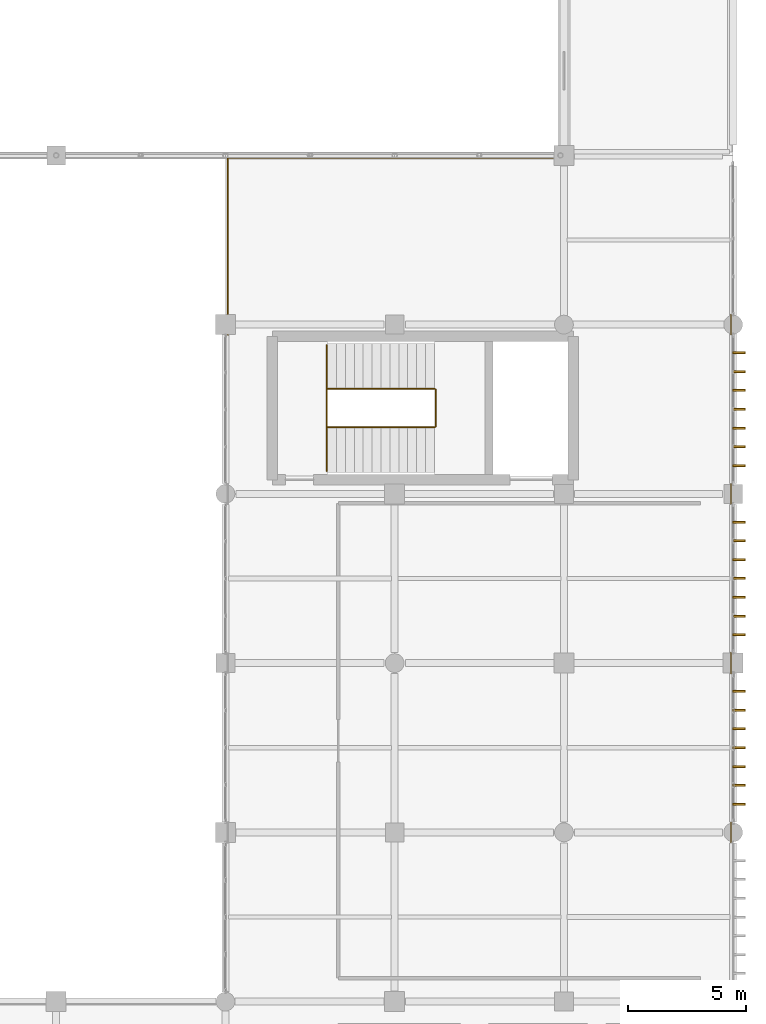
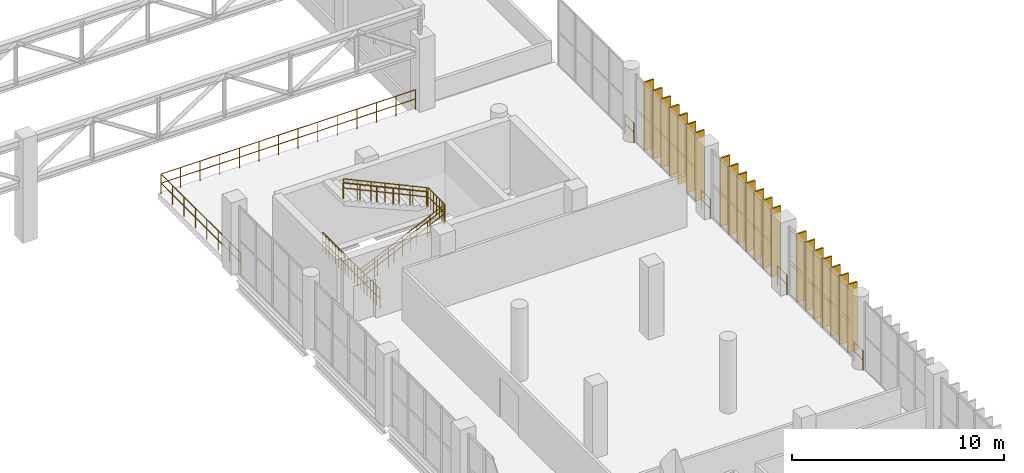
# One storey, part 152 of 153: 21 coverings, 11 railings.
"""IFC4 building model written with IfcOpenShell, lengths in metres."""

from ifc_helpers import new_model, si_unit, direction, frame, origin, origin_2d, place, context, subcontext, project, spatial, rectangle, circle, extrude, material, layer, layer_set, type_object, element, save


model = new_model("IFC4")

# Units and contexts
model_context = context("Model", 3, precision=1e-05, world=origin(), true_north=direction((0.0, 1.0)))
body_context = subcontext(model_context, "Body", "Model", "MODEL_VIEW")
ifc_project = project(units=[si_unit("LENGTHUNIT", "METRE"), si_unit("AREAUNIT", "SQUARE_METRE"), si_unit("VOLUMEUNIT", "CUBIC_METRE"), si_unit("PLANEANGLEUNIT", "RADIAN"), si_unit("MASSUNIT", "GRAM", prefix="KILO")], contexts=[model_context])

# Site, building, storey
site_placement = place(None, origin())
site = spatial("IfcSite", under=ifc_project, at=site_placement, CompositionType="ELEMENT")
building_placement = place(site_placement, origin())
building = spatial("IfcBuilding", under=site, at=building_placement, Name="Qandorah Velis Arena", CompositionType="ELEMENT")
storey_placement = place(building_placement, frame((0.0, 0.0, 5.39990234375)))
storey = spatial("IfcBuildingStorey", under=building, at=storey_placement, Name="L01", CompositionType="ELEMENT", Elevation=5.39990234375)

# Coverings
ifc_material_1 = material(Name="Champagne-bronze anodized aluminium 6063-T6", Category="aluminium")
ifc_layer = layer(ifc_material_1, 0.0849609375)
ifc_layer_set = layer_set([ifc_layer], Name="Champagne-bronze anodized aluminium 6063-T6")
covering_type = type_object("IfcCoveringType", Name="ARC-COV-FIN520", PredefinedType="CLADDING", material=ifc_layer_set)
for number, where, z_axis, x_axis, name in (
    (1, (173.052001953125, 66.0, -0.009765625), (0.0, 0.0, 1.0), (1.0, 0.0, 0.0), "Vertical champagne-bronze solar fin blade WNG-E-L01-03-001"),
    (2, (173.052001953125, 66.800048828125, -0.009765625), (0.0, 0.0, 1.0), (1.0, 0.0, 0.0), "Vertical champagne-bronze solar fin blade WNG-E-L01-03-002"),
    (3, (173.052001953125, 67.60009765625, -0.009765625), (0.0, 0.0, 1.0), (1.0, 0.0, 0.0), "Vertical champagne-bronze solar fin blade WNG-E-L01-03-003"),
    (4, (173.052001953125, 68.39990234375, -0.009765625), (0.0, 0.0, 1.0), (1.0, 0.0, 0.0), "Vertical champagne-bronze solar fin blade WNG-E-L01-03-004"),
    (5, (173.052001953125, 69.199951171875, -0.009765625), (0.0, 0.0, 1.0), (1.0, 0.0, 0.0), "Vertical champagne-bronze solar fin blade WNG-E-L01-03-005"),
    (6, (173.052001953125, 70.0, -0.009765625), (0.0, 0.0, 1.0), (1.0, 0.0, 0.0), "Vertical champagne-bronze solar fin blade WNG-E-L01-03-006"),
    (7, (173.052001953125, 70.800048828125, -0.009765625), (0.0, 0.0, 1.0), (1.0, 0.0, 0.0), "Vertical champagne-bronze solar fin blade WNG-E-L01-03-007"),
    (8, (173.052001953125, 73.199951171875, -0.009765625), (0.0, 0.0, 1.0), (1.0, 0.0, 0.0), "Vertical champagne-bronze solar fin blade WNG-E-L01-04-001"),
    (9, (173.052001953125, 74.0, -0.009765625), (0.0, 0.0, 1.0), (1.0, 0.0, 0.0), "Vertical champagne-bronze solar fin blade WNG-E-L01-04-002"),
    (10, (173.052001953125, 74.800048828125, -0.009765625), (0.0, 0.0, 1.0), (1.0, 0.0, 0.0), "Vertical champagne-bronze solar fin blade WNG-E-L01-04-003"),
    (11, (173.052001953125, 75.60009765625, -0.009765625), (0.0, 0.0, 1.0), (1.0, 0.0, 0.0), "Vertical champagne-bronze solar fin blade WNG-E-L01-04-004"),
    (12, (173.052001953125, 76.39990234375, -0.009765625), (0.0, 0.0, 1.0), (1.0, 0.0, 0.0), "Vertical champagne-bronze solar fin blade WNG-E-L01-04-005"),
    (13, (173.052001953125, 77.199951171875, -0.009765625), (0.0, 0.0, 1.0), (1.0, 0.0, 0.0), "Vertical champagne-bronze solar fin blade WNG-E-L01-04-006"),
    (14, (173.052001953125, 78.0, -0.009765625), (0.0, 0.0, 1.0), (1.0, 0.0, 0.0), "Vertical champagne-bronze solar fin blade WNG-E-L01-04-007"),
    (15, (173.052001953125, 80.39990234375, -0.009765625), (0.0, 0.0, 1.0), (1.0, 0.0, 0.0), "Vertical champagne-bronze solar fin blade WNG-E-L01-05-001"),
    (16, (173.052001953125, 81.199951171875, -0.009765625), (0.0, 0.0, 1.0), (1.0, 0.0, 0.0), "Vertical champagne-bronze solar fin blade WNG-E-L01-05-002"),
    (17, (173.052001953125, 82.0, -0.009765625), (0.0, 0.0, 1.0), (1.0, 0.0, 0.0), "Vertical champagne-bronze solar fin blade WNG-E-L01-05-003"),
    (18, (173.052001953125, 82.800048828125, -0.009765625), (0.0, 0.0, 1.0), (1.0, 0.0, 0.0), "Vertical champagne-bronze solar fin blade WNG-E-L01-05-004"),
    (19, (173.052001953125, 83.60009765625, -0.009765625), (0.0, 0.0, 1.0), (1.0, 0.0, 0.0), "Vertical champagne-bronze solar fin blade WNG-E-L01-05-005"),
    (20, (173.052001953125, 84.39990234375, -0.009765625), (0.0, 0.0, 1.0), (1.0, 0.0, 0.0), "Vertical champagne-bronze solar fin blade WNG-E-L01-05-006"),
    (21, (173.052001953125, 85.199951171875, -0.009765625), (0.0, 0.0, 1.0), (1.0, 0.0, 0.0), "Vertical champagne-bronze solar fin blade WNG-E-L01-05-007"),
):
    element("IfcCovering", number, at=place(storey_placement, frame(where, z_axis=z_axis, x_axis=x_axis)), inside=storey, type_object=covering_type, Name=name, PredefinedType="CLADDING", context=body_context, shape_type="SweptSolid", body=[
        extrude(rectangle(XDim=0.52001953125, YDim=0.0849609375, at=origin_2d()), origin(), (0.0, 0.0, 1.0), 3.93994140625),
    ])

# Railings
ifc_material_2 = material(Name="Stainless steel 316", Category="steel")
railing_type_1 = type_object("IfcRailingType", Name="ARC-RL-GRD1150", PredefinedType="GUARDRAIL", material=ifc_material_2)
railing_1_placement = place(storey_placement, frame((155.510009765625, 80.159912109375, 0.0)))
element("IfcRailing", 22, at=railing_1_placement, inside=storey, type_object=railing_type_1, Name="Stair ST8 landing well-slot guardrail L01", PredefinedType="GUARDRAIL", context=body_context, shape_type="SweptSolid", body=[
    extrude(circle(Radius=0.02392578125, at=origin_2d()), frame((0.0, 0.0, 1.1259765625), z_axis=(0.0, 1.0, 0.0), x_axis=(-1.0, 0.0, 0.0)), (0.0, 0.0, 1.0), 5.380126953125),
    extrude(circle(Radius=0.02392578125, at=origin_2d()), frame((0.0, 0.0, 0.597900390625), z_axis=(0.0, 1.0, 0.0), x_axis=(-1.0, 0.0, 0.0)), (0.0, 0.0, 1.0), 5.380126953125),
    extrude(circle(Radius=0.02099609375, at=origin_2d()), origin(), (0.0, 0.0, 1.0), 1.101806640625),
    extrude(circle(Radius=0.02099609375, at=origin_2d()), frame((0.0, 0.298828125, 0.0)), (0.0, 0.0, 1.0), 1.101806640625),
    extrude(circle(Radius=0.02099609375, at=origin_2d()), frame((0.0, 0.597900390625, 0.0)), (0.0, 0.0, 1.0), 1.101806640625),
    extrude(circle(Radius=0.02099609375, at=origin_2d()), frame((0.0, 0.896728515625, 0.0)), (0.0, 0.0, 1.0), 1.101806640625),
    extrude(circle(Radius=0.02099609375, at=origin_2d()), frame((0.0, 1.195556640625, 0.0)), (0.0, 0.0, 1.0), 1.101806640625),
    extrude(circle(Radius=0.02099609375, at=origin_2d()), frame((0.0, 1.494384765625, 0.0)), (0.0, 0.0, 1.0), 1.101806640625),
    extrude(circle(Radius=0.02099609375, at=origin_2d()), frame((0.0, 1.79345703125, 0.0)), (0.0, 0.0, 1.0), 1.101806640625),
    extrude(circle(Radius=0.02099609375, at=origin_2d()), frame((0.0, 2.09228515625, 0.0)), (0.0, 0.0, 1.0), 1.101806640625),
    extrude(circle(Radius=0.02099609375, at=origin_2d()), frame((0.0, 2.39111328125, 0.0)), (0.0, 0.0, 1.0), 1.101806640625),
    extrude(circle(Radius=0.02099609375, at=origin_2d()), frame((0.0, 2.68994140625, 0.0)), (0.0, 0.0, 1.0), 1.101806640625),
    extrude(circle(Radius=0.02099609375, at=origin_2d()), frame((0.0, 2.989013671875, 0.0)), (0.0, 0.0, 1.0), 1.101806640625),
    extrude(circle(Radius=0.02099609375, at=origin_2d()), frame((0.0, 3.287841796875, 0.0)), (0.0, 0.0, 1.0), 1.101806640625),
    extrude(circle(Radius=0.02099609375, at=origin_2d()), frame((0.0, 3.586669921875, 0.0)), (0.0, 0.0, 1.0), 1.101806640625),
    extrude(circle(Radius=0.02099609375, at=origin_2d()), frame((0.0, 3.8857421875, 0.0)), (0.0, 0.0, 1.0), 1.101806640625),
    extrude(circle(Radius=0.02099609375, at=origin_2d()), frame((0.0, 4.1845703125, 0.0)), (0.0, 0.0, 1.0), 1.101806640625),
    extrude(circle(Radius=0.02099609375, at=origin_2d()), frame((0.0, 4.4833984375, 0.0)), (0.0, 0.0, 1.0), 1.101806640625),
    extrude(circle(Radius=0.02099609375, at=origin_2d()), frame((0.0, 4.7822265625, 0.0)), (0.0, 0.0, 1.0), 1.101806640625),
    extrude(circle(Radius=0.02099609375, at=origin_2d()), frame((0.0, 5.081298828125, 0.0)), (0.0, 0.0, 1.0), 1.101806640625),
    extrude(circle(Radius=0.02099609375, at=origin_2d()), frame((0.0, 5.380126953125, 0.0)), (0.0, 0.0, 1.0), 1.101806640625),
])
railing_2_placement = place(storey_placement, frame((160.14599609375, 82.0400390625, 2.10009765625)))
element("IfcRailing", 23, at=railing_2_placement, inside=storey, type_object=railing_type_1, Name="Stair ST8 well guardrail (L01)", PredefinedType="GUARDRAIL", context=body_context, shape_type="SweptSolid", body=[
    extrude(circle(Radius=0.02392578125, at=origin_2d()), frame((0.0, 0.0, 1.1259765625), z_axis=(0.0, 1.0, 0.0), x_axis=(-1.0, 0.0, 0.0)), (0.0, 0.0, 1.0), 1.619873046875),
    extrude(circle(Radius=0.02392578125, at=origin_2d()), frame((0.0, 0.0, 0.597900390625), z_axis=(0.0, 1.0, 0.0), x_axis=(-1.0, 0.0, 0.0)), (0.0, 0.0, 1.0), 1.619873046875),
    extrude(circle(Radius=0.02099609375, at=origin_2d()), origin(), (0.0, 0.0, 1.0), 1.101806640625),
    extrude(circle(Radius=0.02099609375, at=origin_2d()), frame((0.0, 0.27001953125, 0.0)), (0.0, 0.0, 1.0), 1.101806640625),
    extrude(circle(Radius=0.02099609375, at=origin_2d()), frame((0.0, 0.5400390625, 0.0)), (0.0, 0.0, 1.0), 1.101806640625),
    extrude(circle(Radius=0.02099609375, at=origin_2d()), frame((0.0, 0.81005859375, 0.0)), (0.0, 0.0, 1.0), 1.101806640625),
    extrude(circle(Radius=0.02099609375, at=origin_2d()), frame((0.0, 1.079833984375, 0.0)), (0.0, 0.0, 1.0), 1.101806640625),
    extrude(circle(Radius=0.02099609375, at=origin_2d()), frame((0.0, 1.349853515625, 0.0)), (0.0, 0.0, 1.0), 1.101806640625),
    extrude(circle(Radius=0.02099609375, at=origin_2d()), frame((0.0, 1.619873046875, 0.0)), (0.0, 0.0, 1.0), 1.101806640625),
])
railing_3_placement = place(storey_placement, frame((155.550048828125, 82.030029296875, 0.0)))
element("IfcRailing", 24, at=railing_3_placement, inside=storey, type_object=railing_type_1, Name="Stair ST8 inner flight 1 guardrail (L01)", PredefinedType="GUARDRAIL", context=body_context, shape_type="SweptSolid", body=[
    extrude(circle(Radius=0.02392578125, at=origin_2d()), frame((0.0, 0.0, 1.1259765625), z_axis=(0.907455527081, 0.0, 0.420148148122), x_axis=(0.0, 1.0, 0.0)), (0.0, 0.0, 1.0), 4.99853515625),
    extrude(circle(Radius=0.02392578125, at=origin_2d()), frame((0.0, 0.0, 0.597900390625), z_axis=(0.907455527081, 0.0, 0.420148148122), x_axis=(0.0, 1.0, 0.0)), (0.0, 0.0, 1.0), 4.99853515625),
    extrude(circle(Radius=0.02099609375, at=origin_2d()), origin(), (0.0, 0.0, 1.0), 1.101806640625),
    extrude(circle(Radius=0.02099609375, at=origin_2d()), frame((0.755859375, 0.0, 0.35009765625)), (0.0, 0.0, 1.0), 1.101806640625),
    extrude(circle(Radius=0.02099609375, at=origin_2d()), frame((1.511962890625, 0.0, 0.699951171875)), (0.0, 0.0, 1.0), 1.101806640625),
    extrude(circle(Radius=0.02099609375, at=origin_2d()), frame((2.26806640625, 0.0, 1.050048828125)), (0.0, 0.0, 1.0), 1.101806640625),
    extrude(circle(Radius=0.02099609375, at=origin_2d()), frame((3.02392578125, 0.0, 1.400146484375)), (0.0, 0.0, 1.0), 1.101806640625),
    extrude(circle(Radius=0.02099609375, at=origin_2d()), frame((3.77978515625, 0.0, 1.75)), (0.0, 0.0, 1.0), 1.101806640625),
    extrude(circle(Radius=0.02099609375, at=origin_2d()), frame((4.535888671875, 0.0, 2.10009765625)), (0.0, 0.0, 1.0), 1.101806640625),
])
railing_4_placement = place(storey_placement, frame((160.0859375, 83.669921875, 2.10009765625)))
element("IfcRailing", 25, at=railing_4_placement, inside=storey, type_object=railing_type_1, Name="Stair ST8 inner flight 2 guardrail (L01)", PredefinedType="GUARDRAIL", context=body_context, shape_type="SweptSolid", body=[
    extrude(circle(Radius=0.02392578125, at=origin_2d()), frame((0.0, 0.0, 1.1259765625), z_axis=(-0.907455527081, 0.0, 0.420148148122), x_axis=(0.0, -1.0, 0.0)), (0.0, 0.0, 1.0), 4.99853515625),
    extrude(circle(Radius=0.02392578125, at=origin_2d()), frame((0.0, 0.0, 0.597900390625), z_axis=(-0.907455527081, 0.0, 0.420148148122), x_axis=(0.0, -1.0, 0.0)), (0.0, 0.0, 1.0), 4.99853515625),
    extrude(circle(Radius=0.02099609375, at=origin_2d()), origin(), (0.0, 0.0, 1.0), 1.101806640625),
    extrude(circle(Radius=0.02099609375, at=origin_2d()), frame((-0.755859375, 0.0, 0.35009765625)), (0.0, 0.0, 1.0), 1.101806640625),
    extrude(circle(Radius=0.02099609375, at=origin_2d()), frame((-1.511962890625, 0.0, 0.699951171875)), (0.0, 0.0, 1.0), 1.101806640625),
    extrude(circle(Radius=0.02099609375, at=origin_2d()), frame((-2.26806640625, 0.0, 1.050048828125)), (0.0, 0.0, 1.0), 1.101806640625),
    extrude(circle(Radius=0.02099609375, at=origin_2d()), frame((-3.02392578125, 0.0, 1.400146484375)), (0.0, 0.0, 1.0), 1.101806640625),
    extrude(circle(Radius=0.02099609375, at=origin_2d()), frame((-3.77978515625, 0.0, 1.75)), (0.0, 0.0, 1.0), 1.101806640625),
    extrude(circle(Radius=0.02099609375, at=origin_2d()), frame((-4.535888671875, 0.0, 2.10009765625)), (0.0, 0.0, 1.0), 1.101806640625),
])
railing_5_placement = place(storey_placement, frame((151.300048828125, 85.949951171875, 0.0)))
element("IfcRailing", 26, at=railing_5_placement, inside=storey, type_object=railing_type_1, Name="Slab edge safety guardrail L01-115", PredefinedType="GUARDRAIL", context=body_context, shape_type="SweptSolid", body=[
    extrude(circle(Radius=0.02392578125, at=origin_2d()), frame((0.0, 0.0, 1.1259765625), z_axis=(0.0, 1.0, 0.0), x_axis=(-1.0, 0.0, 0.0)), (0.0, 0.0, 1.0), 7.550048828125),
    extrude(circle(Radius=0.02392578125, at=origin_2d()), frame((0.0, 0.0, 0.597900390625), z_axis=(0.0, 1.0, 0.0), x_axis=(-1.0, 0.0, 0.0)), (0.0, 0.0, 1.0), 7.550048828125),
    extrude(circle(Radius=0.02392578125, at=origin_2d()), frame((0.0, 7.550048828125, 1.1259765625), z_axis=(1.0, 0.0, 0.0), x_axis=(0.0, 1.0, 0.0)), (0.0, 0.0, 1.0), 13.861572265625),
    extrude(circle(Radius=0.02392578125, at=origin_2d()), frame((0.0, 7.550048828125, 0.597900390625), z_axis=(1.0, 0.0, 0.0), x_axis=(0.0, 1.0, 0.0)), (0.0, 0.0, 1.0), 13.861572265625),
    extrude(circle(Radius=0.02099609375, at=origin_2d()), origin(), (0.0, 0.0, 1.0), 1.101806640625),
    extrude(circle(Radius=0.02099609375, at=origin_2d()), frame((0.0, 1.07861328125, 0.0)), (0.0, 0.0, 1.0), 1.101806640625),
    extrude(circle(Radius=0.02099609375, at=origin_2d()), frame((0.0, 2.1572265625, 0.0)), (0.0, 0.0, 1.0), 1.101806640625),
    extrude(circle(Radius=0.02099609375, at=origin_2d()), frame((0.0, 3.23583984375, 0.0)), (0.0, 0.0, 1.0), 1.101806640625),
    extrude(circle(Radius=0.02099609375, at=origin_2d()), frame((0.0, 4.314208984375, 0.0)), (0.0, 0.0, 1.0), 1.101806640625),
    extrude(circle(Radius=0.02099609375, at=origin_2d()), frame((0.0, 5.392822265625, 0.0)), (0.0, 0.0, 1.0), 1.101806640625),
    extrude(circle(Radius=0.02099609375, at=origin_2d()), frame((0.0, 6.471435546875, 0.0)), (0.0, 0.0, 1.0), 1.101806640625),
    extrude(circle(Radius=0.02099609375, at=origin_2d()), frame((0.0, 7.550048828125, 0.0)), (0.0, 0.0, 1.0), 1.101806640625),
    extrude(circle(Radius=0.02099609375, at=origin_2d()), frame((1.066162109375, 7.550048828125, 0.0)), (0.0, 0.0, 1.0), 1.101806640625),
    extrude(circle(Radius=0.02099609375, at=origin_2d()), frame((2.132568359375, 7.550048828125, 0.0)), (0.0, 0.0, 1.0), 1.101806640625),
    extrude(circle(Radius=0.02099609375, at=origin_2d()), frame((3.19873046875, 7.550048828125, 0.0)), (0.0, 0.0, 1.0), 1.101806640625),
    extrude(circle(Radius=0.02099609375, at=origin_2d()), frame((4.26513671875, 7.550048828125, 0.0)), (0.0, 0.0, 1.0), 1.101806640625),
    extrude(circle(Radius=0.02099609375, at=origin_2d()), frame((5.331298828125, 7.550048828125, 0.0)), (0.0, 0.0, 1.0), 1.101806640625),
    extrude(circle(Radius=0.02099609375, at=origin_2d()), frame((6.397705078125, 7.550048828125, 0.0)), (0.0, 0.0, 1.0), 1.101806640625),
    extrude(circle(Radius=0.02099609375, at=origin_2d()), frame((7.4638671875, 7.550048828125, 0.0)), (0.0, 0.0, 1.0), 1.101806640625),
    extrude(circle(Radius=0.02099609375, at=origin_2d()), frame((8.5302734375, 7.550048828125, 0.0)), (0.0, 0.0, 1.0), 1.101806640625),
    extrude(circle(Radius=0.02099609375, at=origin_2d()), frame((9.596435546875, 7.550048828125, 0.0)), (0.0, 0.0, 1.0), 1.101806640625),
    extrude(circle(Radius=0.02099609375, at=origin_2d()), frame((10.662841796875, 7.550048828125, 0.0)), (0.0, 0.0, 1.0), 1.101806640625),
    extrude(circle(Radius=0.02099609375, at=origin_2d()), frame((11.72900390625, 7.550048828125, 0.0)), (0.0, 0.0, 1.0), 1.101806640625),
    extrude(circle(Radius=0.02099609375, at=origin_2d()), frame((12.79541015625, 7.550048828125, 0.0)), (0.0, 0.0, 1.0), 1.101806640625),
    extrude(circle(Radius=0.02099609375, at=origin_2d()), frame((13.861572265625, 7.550048828125, 0.0)), (0.0, 0.0, 1.0), 1.101806640625),
])
railing_6_placement = place(storey_placement, frame((172.699951171875, 86.824951171875, 0.0)))
element("IfcRailing", 27, at=railing_6_placement, inside=storey, type_object=railing_type_1, Name="Slab edge safety guardrail L01-116", PredefinedType="GUARDRAIL", context=body_context, shape_type="SweptSolid", body=[
    extrude(circle(Radius=0.02392578125, at=origin_2d()), frame((0.0, 0.0, 1.1259765625), z_axis=(0.0, -1.0, 0.0), x_axis=(1.0, 0.0, 0.0)), (0.0, 0.0, 1.0), 0.849853515625),
    extrude(circle(Radius=0.02392578125, at=origin_2d()), frame((0.0, 0.0, 0.597900390625), z_axis=(0.0, -1.0, 0.0), x_axis=(1.0, 0.0, 0.0)), (0.0, 0.0, 1.0), 0.849853515625),
    extrude(circle(Radius=0.02099609375, at=origin_2d()), origin(), (0.0, 0.0, 1.0), 1.101806640625),
    extrude(circle(Radius=0.02099609375, at=origin_2d()), frame((0.0, -0.849853515625, 0.0)), (0.0, 0.0, 1.0), 1.101806640625),
])
railing_7_placement = place(storey_placement, frame((172.699951171875, 79.625, 0.0)))
element("IfcRailing", 28, at=railing_7_placement, inside=storey, type_object=railing_type_1, Name="Slab edge safety guardrail L01-117", PredefinedType="GUARDRAIL", context=body_context, shape_type="SweptSolid", body=[
    extrude(circle(Radius=0.02392578125, at=origin_2d()), frame((0.0, 0.0, 1.1259765625), z_axis=(0.0, -1.0, 0.0), x_axis=(1.0, 0.0, 0.0)), (0.0, 0.0, 1.0), 0.85009765625),
    extrude(circle(Radius=0.02392578125, at=origin_2d()), frame((0.0, 0.0, 0.597900390625), z_axis=(0.0, -1.0, 0.0), x_axis=(1.0, 0.0, 0.0)), (0.0, 0.0, 1.0), 0.85009765625),
    extrude(circle(Radius=0.02099609375, at=origin_2d()), origin(), (0.0, 0.0, 1.0), 1.101806640625),
    extrude(circle(Radius=0.02099609375, at=origin_2d()), frame((0.0, -0.85009765625, 0.0)), (0.0, 0.0, 1.0), 1.101806640625),
])
railing_8_placement = place(storey_placement, frame((172.699951171875, 72.449951171875, 0.0)))
element("IfcRailing", 29, at=railing_8_placement, inside=storey, type_object=railing_type_1, Name="Slab edge safety guardrail L01-118", PredefinedType="GUARDRAIL", context=body_context, shape_type="SweptSolid", body=[
    extrude(circle(Radius=0.02392578125, at=origin_2d()), frame((0.0, 0.0, 1.1259765625), z_axis=(0.0, -1.0, 0.0), x_axis=(1.0, 0.0, 0.0)), (0.0, 0.0, 1.0), 0.89990234375),
    extrude(circle(Radius=0.02392578125, at=origin_2d()), frame((0.0, 0.0, 0.597900390625), z_axis=(0.0, -1.0, 0.0), x_axis=(1.0, 0.0, 0.0)), (0.0, 0.0, 1.0), 0.89990234375),
    extrude(circle(Radius=0.02099609375, at=origin_2d()), origin(), (0.0, 0.0, 1.0), 1.101806640625),
    extrude(circle(Radius=0.02099609375, at=origin_2d()), frame((0.0, -0.89990234375, 0.0)), (0.0, 0.0, 1.0), 1.101806640625),
])
railing_9_placement = place(storey_placement, frame((172.699951171875, 65.22509765625, 0.0)))
element("IfcRailing", 30, at=railing_9_placement, inside=storey, type_object=railing_type_1, Name="Slab edge safety guardrail L01-119", PredefinedType="GUARDRAIL", context=body_context, shape_type="SweptSolid", body=[
    extrude(circle(Radius=0.02392578125, at=origin_2d()), frame((0.0, 0.0, 1.1259765625), z_axis=(0.0, -1.0, 0.0), x_axis=(1.0, 0.0, 0.0)), (0.0, 0.0, 1.0), 0.85009765625),
    extrude(circle(Radius=0.02392578125, at=origin_2d()), frame((0.0, 0.0, 0.597900390625), z_axis=(0.0, -1.0, 0.0), x_axis=(1.0, 0.0, 0.0)), (0.0, 0.0, 1.0), 0.85009765625),
    extrude(circle(Radius=0.02099609375, at=origin_2d()), origin(), (0.0, 0.0, 1.0), 1.101806640625),
    extrude(circle(Radius=0.02099609375, at=origin_2d()), frame((0.0, -0.85009765625, 0.0)), (0.0, 0.0, 1.0), 1.101806640625),
])
railing_type_2 = type_object("IfcRailingType", Name="ARC-RL-HND920", PredefinedType="HANDRAIL", material=ifc_material_2)
railing_10_placement = place(storey_placement, frame((155.550048828125, 82.030029296875, 0.0)))
element("IfcRailing", 31, at=railing_10_placement, inside=storey, type_object=railing_type_2, Name="Stair ST8 inner handrail 1 (L01)", PredefinedType="HANDRAIL", context=body_context, shape_type="SweptSolid", body=[
    extrude(circle(Radius=0.02392578125, at=origin_2d()), frame((0.0, 0.0, 0.89599609375), z_axis=(0.907455527081, 0.0, 0.420148148122), x_axis=(0.0, 1.0, 0.0)), (0.0, 0.0, 1.0), 4.99853515625),
    extrude(circle(Radius=0.02099609375, at=origin_2d()), origin(), (0.0, 0.0, 1.0), 0.871826171875),
    extrude(circle(Radius=0.02099609375, at=origin_2d()), frame((0.9072265625, 0.0, 0.419921875)), (0.0, 0.0, 1.0), 0.871826171875),
    extrude(circle(Radius=0.02099609375, at=origin_2d()), frame((1.814453125, 0.0, 0.840087890625)), (0.0, 0.0, 1.0), 0.871826171875),
    extrude(circle(Radius=0.02099609375, at=origin_2d()), frame((2.721435546875, 0.0, 1.260009765625)), (0.0, 0.0, 1.0), 0.871826171875),
    extrude(circle(Radius=0.02099609375, at=origin_2d()), frame((3.628662109375, 0.0, 1.68017578125)), (0.0, 0.0, 1.0), 0.871826171875),
    extrude(circle(Radius=0.02099609375, at=origin_2d()), frame((4.535888671875, 0.0, 2.10009765625)), (0.0, 0.0, 1.0), 0.871826171875),
])
railing_11_placement = place(storey_placement, frame((160.0859375, 83.669921875, 2.10009765625)))
element("IfcRailing", 32, at=railing_11_placement, inside=storey, type_object=railing_type_2, Name="Stair ST8 inner handrail 2 (L01)", PredefinedType="HANDRAIL", context=body_context, shape_type="SweptSolid", body=[
    extrude(circle(Radius=0.02392578125, at=origin_2d()), frame((0.0, 0.0, 0.89599609375), z_axis=(-0.907455527081, 0.0, 0.420148148122), x_axis=(0.0, -1.0, 0.0)), (0.0, 0.0, 1.0), 4.99853515625),
    extrude(circle(Radius=0.02099609375, at=origin_2d()), origin(), (0.0, 0.0, 1.0), 0.871826171875),
    extrude(circle(Radius=0.02099609375, at=origin_2d()), frame((-0.9072265625, 0.0, 0.419921875)), (0.0, 0.0, 1.0), 0.871826171875),
    extrude(circle(Radius=0.02099609375, at=origin_2d()), frame((-1.814453125, 0.0, 0.840087890625)), (0.0, 0.0, 1.0), 0.871826171875),
    extrude(circle(Radius=0.02099609375, at=origin_2d()), frame((-2.721435546875, 0.0, 1.260009765625)), (0.0, 0.0, 1.0), 0.871826171875),
    extrude(circle(Radius=0.02099609375, at=origin_2d()), frame((-3.628662109375, 0.0, 1.68017578125)), (0.0, 0.0, 1.0), 0.871826171875),
    extrude(circle(Radius=0.02099609375, at=origin_2d()), frame((-4.535888671875, 0.0, 2.10009765625)), (0.0, 0.0, 1.0), 0.871826171875),
])

save(model, "model.ifc")
